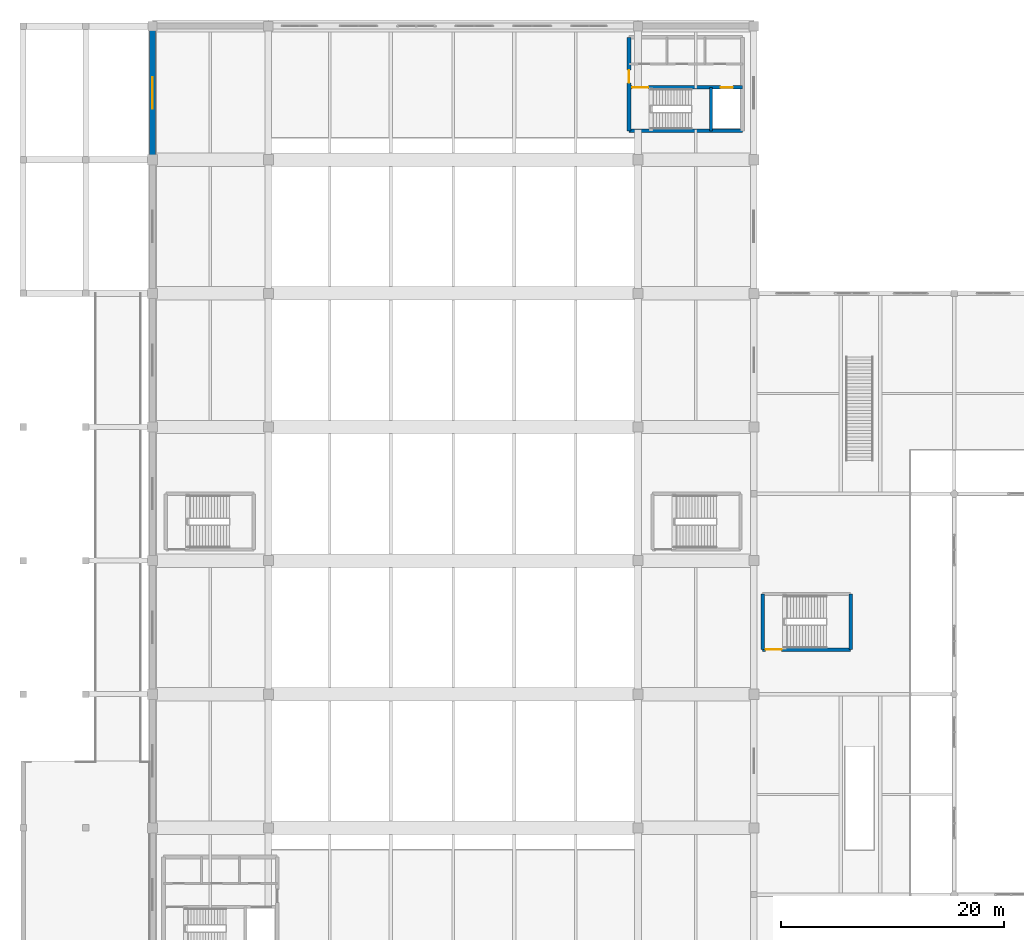
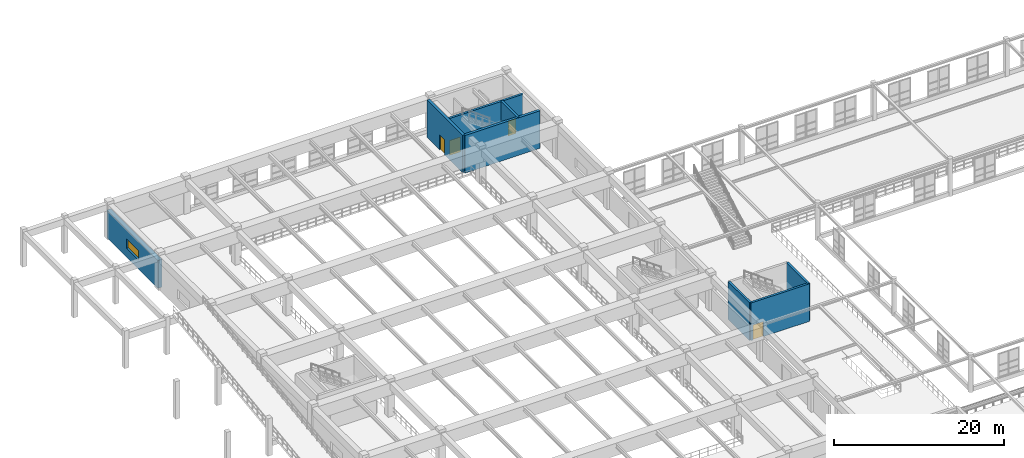
# One storey, part 173 of 197: 8 walls, 4 doors, 1 window, 5 openings.
"""IFC4 building model written with IfcOpenShell, lengths in metres."""

import ifcopenshell
import ifcopenshell.guid

model = None  # the IFC model being written
_history = None  # IfcOwnerHistory: only IFC2X3 demands one
_inside = {}  # id of a spatial element -> (the spatial element, [elements in it])
_under = {}  # id of a project, library or spatial element -> (it, [spatial elements below it])
_declared = {}  # id of a project -> (the project, [libraries it declares])
_typed = {}  # id of a type object -> (the type object, [elements of that type])
_made_of = {}  # id of a material, layer set ... -> (it, [elements and type objects made of it])


def new_model(schema):
    """Start an empty IFC model of exactly this schema.

    Asked for "IFC4X3", IfcOpenShell would pick the latest addendum, in which some entities
    have other attributes; the version numbers below select the first issue.
    IFC2X3 requires an IfcOwnerHistory on every rooted entity: one is made here for all.
    """
    global model, _history
    if schema == "IFC4X3":
        model = ifcopenshell.file(schema_version=(4, 3, 0, 0))
    else:
        model = ifcopenshell.file(schema=schema)
    _inside.clear()
    _under.clear()
    _declared.clear()
    _typed.clear()
    _made_of.clear()
    _history = None
    if model.schema == "IFC2X3":
        org = make("IfcOrganization", Name="unknown")
        user = make(
            "IfcPersonAndOrganization",
            ThePerson=make("IfcPerson", FamilyName="unknown"),
            TheOrganization=org,
        )
        app = make(
            "IfcApplication",
            ApplicationDeveloper=org,
            Version="unknown",
            ApplicationFullName="unknown",
            ApplicationIdentifier="unknown",
        )
        _history = make(
            "IfcOwnerHistory",
            OwningUser=user,
            OwningApplication=app,
            ChangeAction="ADDED",
            CreationDate=0,
        )
    return model


def make(cls, **values):
    """One entity of the class cls with the attributes given. An attribute that is None is left unset."""
    return model.create_entity(
        cls, **{name: value for name, value in values.items() if value is not None}
    )


def rooted(cls, **values):
    """An entity with a GlobalId (a new one), such as an element, a storey or a relation."""
    return make(cls, GlobalId=ifcopenshell.guid.new(), OwnerHistory=_history, **values)


def si_unit(unit_type, name, prefix=None):
    """IfcSIUnit, for example si_unit("LENGTHUNIT", "METRE", prefix="MILLI")."""
    return make("IfcSIUnit", UnitType=unit_type, Prefix=prefix, Name=name)


def derived_unit(unit_type, elements):
    """IfcDerivedUnit: a product of units, each with its exponent."""
    return make(
        "IfcDerivedUnit",
        Elements=[
            make("IfcDerivedUnitElement", Unit=unit, Exponent=power)
            for unit, power in elements
        ],
        UnitType=unit_type,
    )


def assignment(units):
    """IfcUnitAssignment: the units of a project."""
    return None if units is None else make("IfcUnitAssignment", Units=units)


def point(xyz):
    """IfcCartesianPoint."""
    return None if xyz is None else make("IfcCartesianPoint", Coordinates=xyz)


def direction(xyz):
    """IfcDirection."""
    return None if xyz is None else make("IfcDirection", DirectionRatios=xyz)


def frame(location, z_axis=None, x_axis=None):
    """IfcAxis2Placement3D, a coordinate frame: its origin and axes. An axis left out is left unset."""
    return make(
        "IfcAxis2Placement3D",
        Location=point(location),
        Axis=direction(z_axis),
        RefDirection=direction(x_axis),
    )


def frame_2d(location, x_axis=None):
    """IfcAxis2Placement2D, a coordinate frame in the plane: its origin and x axis."""
    return make(
        "IfcAxis2Placement2D", Location=point(location), RefDirection=direction(x_axis)
    )


def origin():
    """The frame at (0, 0, 0) with its axes left unset."""
    return frame((0.0, 0.0, 0.0))


def place(relative_to, where):
    """IfcLocalPlacement: puts the frame where relative to a parent placement (None: the world)."""
    return make(
        "IfcLocalPlacement", PlacementRelTo=relative_to, RelativePlacement=where
    )


def context(
    kind, dimensions, precision=None, world=None, true_north=None, identifier=None
):
    """IfcGeometricRepresentationContext, for example the 3D "Model" context."""
    return make(
        "IfcGeometricRepresentationContext",
        ContextIdentifier=identifier,
        ContextType=kind,
        CoordinateSpaceDimension=dimensions,
        Precision=precision,
        WorldCoordinateSystem=world,
        TrueNorth=true_north,
    )


def subcontext(parent, identifier, kind, view, scale=None):
    """IfcGeometricRepresentationSubContext, for example "Body" below "Model"."""
    return make(
        "IfcGeometricRepresentationSubContext",
        ContextIdentifier=identifier,
        ContextType=kind,
        ParentContext=parent,
        TargetScale=scale,
        TargetView=view,
    )


def project(units=None, contexts=None):
    """IfcProject with its units and contexts."""
    return rooted(
        "IfcProject",
        Name="project",
        RepresentationContexts=contexts,
        UnitsInContext=assignment(units),
    )


def spatial(cls, under=None, at=None, **own):
    """A site, building, storey or space (cls), placed at a placement, below another one or the project."""
    s = rooted(cls, ObjectPlacement=at, **own)
    if under is not None:
        _under.setdefault(under.id(), (under, []))[1].append(s)
    return s


def profile(cls, at=None, kind="AREA", **sizes):
    """A parametric profile (cls). Its sizes go by their IFC names, for example OverallWidth=200.0."""
    return make(cls, ProfileType=kind, Position=at, **sizes)


def rectangle(**sizes):
    """IfcRectangleProfileDef."""
    return profile("IfcRectangleProfileDef", **sizes)


def extrude(swept, where, along, depth):
    """IfcExtrudedAreaSolid: the profile swept, set in the frame where, extruded along a direction by depth."""
    return make(
        "IfcExtrudedAreaSolid",
        SweptArea=swept,
        Position=where,
        ExtrudedDirection=direction(along),
        Depth=depth,
    )


def shape(context_of_items, identifier, shape_type, items):
    """IfcShapeRepresentation: the items that make up one representation, for example the "Body"."""
    return make(
        "IfcShapeRepresentation",
        ContextOfItems=context_of_items,
        RepresentationIdentifier=identifier,
        RepresentationType=shape_type,
        Items=items,
    )


def material(Name=None, Category=None):
    """IfcMaterial."""
    return make("IfcMaterial", Name=Name, Category=Category)


def layer(
    of_material, thickness, ventilated=None, Name=None, Category=None, Priority=None
):
    """IfcMaterialLayer: one layer of a wall or slab, of a material (None: an air gap)."""
    return make(
        "IfcMaterialLayer",
        Material=of_material,
        LayerThickness=thickness,
        IsVentilated=ventilated,
        Name=Name,
        Category=Category,
        Priority=Priority,
    )


def layer_set(layers, Name=None):
    """IfcMaterialLayerSet."""
    return make("IfcMaterialLayerSet", MaterialLayers=layers, LayerSetName=Name)


def made_of(thing, what):
    """Note that an element or type object is made of a material, layer set ...; save() writes the relation."""
    if what is not None:
        _made_of.setdefault(what.id(), (what, []))[1].append(thing)
    return thing


def type_object(cls, material=None, **own):
    """A type object (cls), such as IfcWallType, which elements share."""
    return made_of(rooted(cls, **own), material)


def element(
    cls,
    number,
    at=None,
    inside=None,
    cuts=None,
    type_object=None,
    material=None,
    context=None,
    identifier="Body",
    shape_type=None,
    held_by="IfcProductDefinitionShape",
    body=None,
    shapes=None,
    **own,
):
    """One element of the class cls, such as IfcWall. Its Tag is "e" and its number.

    at: its placement. inside: the storey or other place that contains it. cuts: it is an
    opening in that element (IfcRelVoidsElement). A single representation is given by context,
    identifier, shape_type and body (its items); several are given by shapes. held_by: the class
    of the entity that holds the representations. save() writes the other relations.
    """
    e = rooted(cls, Tag="e%d" % number, ObjectPlacement=at, **own)
    if body is not None:
        shapes = [shape(context, identifier, shape_type, body)]
    if shapes is not None:
        e.Representation = make(held_by, Representations=shapes)
    if inside is not None:
        _inside.setdefault(inside.id(), (inside, []))[1].append(e)
    if cuts is not None:
        rooted(
            "IfcRelVoidsElement", RelatingBuildingElement=cuts, RelatedOpeningElement=e
        )
    if type_object is not None:
        _typed.setdefault(type_object.id(), (type_object, []))[1].append(e)
    return made_of(e, material)


def fill(opening, filler):
    """IfcRelFillsElement: the door or window that sits in an opening."""
    return rooted(
        "IfcRelFillsElement",
        RelatingOpeningElement=opening,
        RelatedBuildingElement=filler,
    )


def aggregate(whole, parts):
    """IfcRelAggregates: a whole, such as a stair, and the parts it consists of."""
    return rooted("IfcRelAggregates", RelatingObject=whole, RelatedObjects=parts)


def save(model, path):
    """Write the relations noted so far, then the file.

    IfcRelAggregates (storeys below a building ...), IfcRelContainedInSpatialStructure (elements
    in a storey), IfcRelDefinesByType, IfcRelAssociatesMaterial and IfcRelDeclares: one each for
    every whole, place, type object, material and project.
    """
    for whole, parts in _under.values():
        aggregate(whole, parts)
    for where, things in _inside.values():
        rooted(
            "IfcRelContainedInSpatialStructure",
            RelatedElements=things,
            RelatingStructure=where,
        )
    for kind, things in _typed.values():
        rooted("IfcRelDefinesByType", RelatedObjects=things, RelatingType=kind)
    for what, things in _made_of.values():
        rooted("IfcRelAssociatesMaterial", RelatedObjects=things, RelatingMaterial=what)
    for by, libraries in _declared.values():
        rooted("IfcRelDeclares", RelatingContext=by, RelatedDefinitions=libraries)
    model.write(path)


model = new_model("IFC4")

# Units and contexts
model_context = context("Model", 3, precision=1e-05, world=origin(), true_north=direction((0.0, 1.0)))
body_context = subcontext(model_context, "Body", "Model", "MODEL_VIEW")
ifc_project = project(units=[si_unit("LENGTHUNIT", "METRE"), si_unit("AREAUNIT", "SQUARE_METRE"), si_unit("VOLUMEUNIT", "CUBIC_METRE"), si_unit("PLANEANGLEUNIT", "RADIAN"), si_unit("MASSUNIT", "GRAM", prefix="KILO"), derived_unit("THERMALTRANSMITTANCEUNIT", [(si_unit("POWERUNIT", "WATT"), 1), (si_unit("LENGTHUNIT", "METRE"), -2), (si_unit("THERMODYNAMICTEMPERATUREUNIT", "KELVIN"), -1)])], contexts=[model_context])

# Site, building, storey
site_placement = place(None, origin())
site = spatial("IfcSite", under=ifc_project, at=site_placement, CompositionType="ELEMENT")
building_placement = place(site_placement, origin())
building = spatial("IfcBuilding", under=site, at=building_placement, Name="Almenara Railside Exhibition Hall", CompositionType="ELEMENT")
storey_placement = place(building_placement, frame((0.0, 0.0, 5.39990234375)))
storey = spatial("IfcBuildingStorey", under=building, at=storey_placement, Name="L01", CompositionType="ELEMENT", Elevation=5.39990234375)

# Wall
ifc_material_1 = material(Name="Concrete C35/45", Category="concrete")
ifc_layer_1 = layer(ifc_material_1, 0.35009765625, Name="Concrete C35/45")
ifc_layer_set_1 = layer_set([ifc_layer_1], Name="Concrete C35/45")
wall_type_1 = type_object("IfcWallType", Name="Core Coupled Shear Wall 350mm C35/45", PredefinedType="SHEAR", material=ifc_layer_set_1)
wall_1_placement = place(storey_placement, frame((54.800048828125, 122.60009765625, 0.0), z_axis=(0.0, 0.0, 1.0), x_axis=(1.0, 0.0, 0.0)))
element("IfcWall", 1, at=wall_1_placement, inside=storey, type_object=wall_type_1, Name="Interior wall 0037", PredefinedType="SHEAR", context=body_context, shape_type="SweptSolid", body=[
    extrude(rectangle(XDim=10.199951171875, YDim=0.35009765625, at=frame_2d((5.10009765625, 0.0))), origin(), (0.0, 0.0, 1.0), 5.400146484375),
])

# Wall, opening, door
wall_2_placement = place(storey_placement, frame((54.800048828125, 131.0, 0.0), z_axis=(0.0, 0.0, 1.0), x_axis=(0.0, -1.0, 0.0)))
wall_2 = element("IfcWall", 2, at=wall_2_placement, inside=storey, type_object=wall_type_1, Name="Interior wall 0039", PredefinedType="SHEAR", context=body_context, shape_type="SweptSolid", body=[
    extrude(rectangle(XDim=8.39990234375, YDim=0.35009765625, at=frame_2d((4.199951171875, 0.0))), origin(), (0.0, 0.0, 1.0), 5.400146484375),
])
opening_1_placement = place(wall_2_placement, frame((2.949951171875, 0.0, 0.0)))
opening_1 = element("IfcOpeningElement", 3, at=opening_1_placement, cuts=wall_2, Name="Opening FD-115", PredefinedType="OPENING", context=body_context, shape_type="SweptSolid", body=[
    extrude(rectangle(XDim=1.14990234375, YDim=2.14990234375, at=frame_2d((0.574951171875, 1.074951171875))), frame((0.0, 0.18505859375, 0.0), z_axis=(0.0, -1.0, 0.0), x_axis=(1.0, 0.0, 0.0)), (0.0, 0.0, 1.0), 0.3701171875),
])
ifc_material_2 = material(Name="Fire-rated iroko timber door", Category="wood")
door_type_1 = type_object("IfcDoorType", Name="Core Lobby Fire Door 1150x2150 EI60", OperationType="NOTDEFINED", PredefinedType="DOOR", material=ifc_material_2)
door_1_placement = place(opening_1_placement, origin())
door_1 = element("IfcDoor", 4, at=door_1_placement, inside=storey, type_object=door_type_1, Name="Interior door FD-115-025", OperationType="SINGLE_SWING_LEFT", OverallHeight=2.14990234375, OverallWidth=1.14990234375, PredefinedType="DOOR", context=body_context, shape_type="SweptSolid", body=[
    extrude(rectangle(XDim=1.14990234375, YDim=2.14990234375, at=frame_2d((0.574951171875, 1.074951171875))), frame((0.0, 0.02490234375, 0.0), z_axis=(0.0, -1.0, 0.0), x_axis=(1.0, 0.0, 0.0)), (0.0, 0.0, 1.0), 0.050048828125),
])
fill(opening_1, door_1)

# Wall, opening, window
ifc_material_3 = material(Name="Ochre-white lime-rendered masonry over Concrete C35/45", Category="masonry")
ifc_layer_2 = layer(ifc_material_3, 0.5400390625, Name="Ochre-white lime-rendered masonry over Concrete C35/45")
ifc_layer_set_2 = layer_set([ifc_layer_2], Name="Ochre-white lime-rendered masonry over Concrete C35/45")
wall_type_2 = type_object("IfcWallType", Name="Exterior West Hall Thermal Wall 540mm C35/45", PredefinedType="SOLIDWALL", material=ifc_layer_set_2)
wall_3_placement = place(storey_placement, frame((12.0, 132.0, 0.0), z_axis=(0.0, 0.0, 1.0), x_axis=(0.0, -1.0, 0.0)))
wall_3 = element("IfcWall", 5, at=wall_3_placement, inside=storey, type_object=wall_type_2, Name="Exterior wall 0050", PredefinedType="SOLIDWALL", context=body_context, shape_type="SweptSolid", body=[
    extrude(rectangle(XDim=12.0, YDim=0.5400390625, at=frame_2d((6.0, 0.0))), origin(), (0.0, 0.0, 1.0), 4.0),
])
opening_2_placement = place(wall_3_placement, frame((4.60009765625, 0.0, 1.300048828125)))
opening_2 = element("IfcOpeningElement", 6, at=opening_2_placement, cuts=wall_3, Name="Opening W-16", PredefinedType="OPENING", context=body_context, shape_type="SweptSolid", body=[
    extrude(rectangle(XDim=2.800048828125, YDim=1.35009765625, at=frame_2d((1.39990234375, 0.675048828125))), frame((0.0, 0.280029296875, 0.0), z_axis=(0.0, -1.0, 0.0), x_axis=(1.0, 0.0, 0.0)), (0.0, 0.0, 1.0), 0.56005859375),
])
ifc_material_4 = material(Name="Bronze-anodised aluminium and low-E double glazing", Category="aluminium")
window_type = type_object("IfcWindowType", Name="Gallery Clerestory Ribbon Window 2800x1350", PartitioningType="TRIPLE_PANEL_HORIZONTAL", PredefinedType="WINDOW", material=ifc_material_4)
window_placement = place(opening_2_placement, origin())
window = element("IfcWindow", 7, at=window_placement, inside=storey, type_object=window_type, Name="Window 0012", OverallHeight=1.35009765625, OverallWidth=2.800048828125, PartitioningType="TRIPLE_PANEL_HORIZONTAL", PredefinedType="WINDOW", context=body_context, shape_type="SweptSolid", body=[
    extrude(rectangle(XDim=2.800048828125, YDim=1.35009765625, at=frame_2d((1.39990234375, 0.675048828125))), frame((0.0, 0.030029296875, 0.0), z_axis=(0.0, -1.0, 0.0), x_axis=(1.0, 0.0, 0.0)), (0.0, 0.0, 1.0), 0.06005859375),
])
fill(opening_2, window)

# Wall, openings, doors
ifc_layer_3 = layer(ifc_material_1, 0.300048828125, Name="Concrete C35/45")
ifc_layer_set_3 = layer_set([ifc_layer_3], Name="Concrete C35/45")
wall_type_3 = type_object("IfcWallType", Name="Stair and Lift Shaft Wall 300mm C35/45", PredefinedType="SHEAR", material=ifc_layer_set_3)
wall_4_placement = place(storey_placement, frame((54.800048828125, 126.5, 0.0), z_axis=(0.0, 0.0, 1.0), x_axis=(1.0, 0.0, 0.0)))
wall_4 = element("IfcWall", 8, at=wall_4_placement, inside=storey, type_object=wall_type_3, Name="Interior wall 0041", PredefinedType="SHEAR", context=body_context, shape_type="SweptSolid", body=[
    extrude(rectangle(XDim=10.199951171875, YDim=0.300048828125, at=frame_2d((5.10009765625, 0.0))), origin(), (0.0, 0.0, 1.0), 5.400146484375),
])
opening_3_placement = place(wall_4_placement, frame((0.280029296875, 0.0, 0.0)))
opening_3 = element("IfcOpeningElement", 9, at=opening_3_placement, cuts=wall_4, Name="Opening FD-145", PredefinedType="OPENING", context=body_context, shape_type="SweptSolid", body=[
    extrude(rectangle(XDim=1.449951171875, YDim=2.14990234375, at=frame_2d((0.72509765625, 1.074951171875))), frame((0.0, 0.159912109375, 0.0), z_axis=(0.0, -1.0, 0.0), x_axis=(1.0, 0.0, 0.0)), (0.0, 0.0, 1.0), 0.320068359375),
])
opening_4_placement = place(wall_4_placement, frame((8.22509765625, 0.0, 0.0)))
opening_4 = element("IfcOpeningElement", 10, at=opening_4_placement, cuts=wall_4, Name="Opening LD-11-C2", PredefinedType="OPENING", context=body_context, shape_type="SweptSolid", body=[
    extrude(rectangle(XDim=1.10009765625, YDim=2.14990234375, at=frame_2d((0.550048828125, 1.074951171875))), frame((0.0, 0.159912109375, 0.0), z_axis=(0.0, -1.0, 0.0), x_axis=(1.0, 0.0, 0.0)), (0.0, 0.0, 1.0), 0.320068359375),
])
ifc_material_5 = material(Name="Steel-framed fire-rated timber door", Category="steel")
door_type_2 = type_object("IfcDoorType", Name="Fire Escape Stair Door 1450x2150 EI60", OperationType="NOTDEFINED", PredefinedType="DOOR", material=ifc_material_5)
door_2_placement = place(opening_3_placement, origin())
door_2 = element("IfcDoor", 11, at=door_2_placement, inside=storey, type_object=door_type_2, Name="Interior door FD-145-026", OperationType="DOUBLE_DOOR_SINGLE_SWING", OverallHeight=2.14990234375, OverallWidth=1.449951171875, PredefinedType="DOOR", context=body_context, shape_type="SweptSolid", body=[
    extrude(rectangle(XDim=1.449951171875, YDim=2.14990234375, at=frame_2d((0.72509765625, 1.074951171875))), frame((0.0, 0.02490234375, 0.0), z_axis=(0.0, -1.0, 0.0), x_axis=(1.0, 0.0, 0.0)), (0.0, 0.0, 1.0), 0.050048828125),
])
fill(opening_3, door_2)
ifc_material_6 = material(Name="Brushed bronze-stainless steel sliding landing door", Category="steel")
door_type_3 = type_object("IfcDoorType", Name="Passenger Lift Sliding Landing Door 1100x2150", OperationType="DOUBLE_DOOR_SLIDING", PredefinedType="DOOR", material=ifc_material_6)
door_3_placement = place(opening_4_placement, origin())
door_3 = element("IfcDoor", 12, at=door_3_placement, inside=storey, type_object=door_type_3, Name="Interior door LD-11-C2-027", OperationType="DOUBLE_DOOR_SLIDING", OverallHeight=2.14990234375, OverallWidth=1.10009765625, PredefinedType="DOOR", context=body_context, shape_type="SweptSolid", body=[
    extrude(rectangle(XDim=1.10009765625, YDim=2.14990234375, at=frame_2d((0.550048828125, 1.074951171875))), frame((0.0, 0.02490234375, 0.0), z_axis=(0.0, -1.0, 0.0), x_axis=(1.0, 0.0, 0.0)), (0.0, 0.0, 1.0), 0.050048828125),
])
fill(opening_4, door_3)

# Wall
wall_5_placement = place(storey_placement, frame((62.14990234375, 122.60009765625, 0.0), z_axis=(0.0, 0.0, 1.0), x_axis=(0.0, 1.0, 0.0)))
element("IfcWall", 13, at=wall_5_placement, inside=storey, type_object=wall_type_3, Name="Interior wall 0042", PredefinedType="SHEAR", context=body_context, shape_type="SweptSolid", body=[
    extrude(rectangle(XDim=3.89990234375, YDim=0.300048828125, at=frame_2d((1.949951171875, 0.0))), origin(), (0.0, 0.0, 1.0), 5.400146484375),
])

# Wall, opening, door
wall_6_placement = place(storey_placement, frame((66.800048828125, 76.0, 0.0), z_axis=(0.0, 0.0, 1.0), x_axis=(1.0, 0.0, 0.0)))
wall_6 = element("IfcWall", 14, at=wall_6_placement, inside=storey, type_object=wall_type_3, Name="Interior wall 0304", PredefinedType="SHEAR", context=body_context, shape_type="SweptSolid", body=[
    extrude(rectangle(XDim=7.89990234375, YDim=0.300048828125, at=frame_2d((3.949951171875, 0.0))), origin(), (0.0, 0.0, 1.0), 5.400146484375),
])
opening_5_placement = place(wall_6_placement, frame((0.25, 0.0, 0.0)))
opening_5 = element("IfcOpeningElement", 15, at=opening_5_placement, cuts=wall_6, Name="Opening FD-145", PredefinedType="OPENING", context=body_context, shape_type="SweptSolid", body=[
    extrude(rectangle(XDim=1.449951171875, YDim=2.14990234375, at=frame_2d((0.72509765625, 1.074951171875))), frame((0.0, 0.159912109375, 0.0), z_axis=(0.0, -1.0, 0.0), x_axis=(1.0, 0.0, 0.0)), (0.0, 0.0, 1.0), 0.320068359375),
])
door_4_placement = place(opening_5_placement, origin())
door_4 = element("IfcDoor", 16, at=door_4_placement, inside=storey, type_object=door_type_2, Name="Interior door FD-145-191", OperationType="DOUBLE_DOOR_SINGLE_SWING", OverallHeight=2.14990234375, OverallWidth=1.449951171875, PredefinedType="DOOR", context=body_context, shape_type="SweptSolid", body=[
    extrude(rectangle(XDim=1.449951171875, YDim=2.14990234375, at=frame_2d((0.72509765625, 1.074951171875))), frame((0.0, 0.02490234375, 0.0), z_axis=(0.0, -1.0, 0.0), x_axis=(1.0, 0.0, 0.0)), (0.0, 0.0, 1.0), 0.050048828125),
])
fill(opening_5, door_4)

# Walls
for number, where, z_axis, x_axis, name in (
    (17, (66.800048828125, 81.0, 0.0), (0.0, 0.0, 1.0), (0.0, -1.0, 0.0), "Interior wall 0306"),
    (18, (74.699951171875, 76.0, 0.0), (0.0, 0.0, 1.0), (0.0, 1.0, 0.0), "Interior wall 0307"),
):
    element("IfcWall", number, at=place(storey_placement, frame(where, z_axis=z_axis, x_axis=x_axis)), inside=storey, type_object=wall_type_3, Name=name, PredefinedType="SHEAR", context=body_context, shape_type="SweptSolid", body=[
        extrude(rectangle(XDim=5.0, YDim=0.300048828125, at=frame_2d((2.5, 0.0))), origin(), (0.0, 0.0, 1.0), 5.400146484375),
    ])

save(model, "model.ifc")
